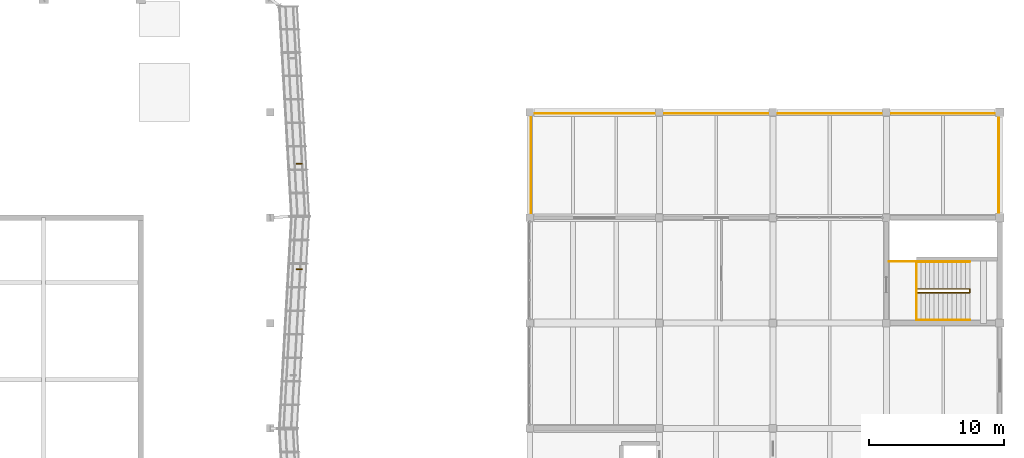
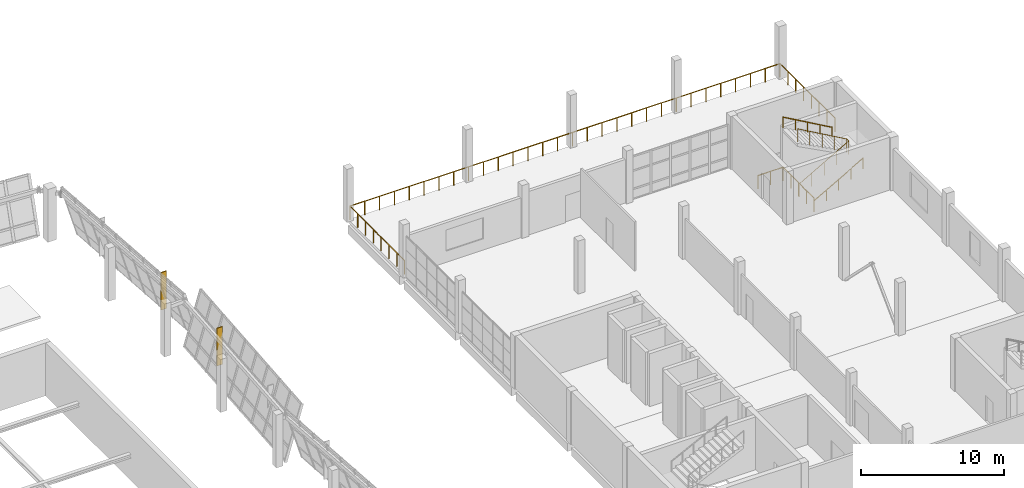
# One storey, part 65 of 67: 5 railings, 2 shading devices.
"""IFC4 building model written with IfcOpenShell, lengths in metres."""

from ifc_helpers import new_model, si_unit, direction, frame, origin, origin_2d, place, context, subcontext, project, spatial, rectangle, circle, extrude, material, type_object, element, save


model = new_model("IFC4")

# Units and contexts
model_context = context("Model", 3, precision=1e-05, world=origin(), true_north=direction((0.0, 1.0)))
body_context = subcontext(model_context, "Body", "Model", "MODEL_VIEW")
ifc_project = project(units=[si_unit("LENGTHUNIT", "METRE"), si_unit("AREAUNIT", "SQUARE_METRE"), si_unit("VOLUMEUNIT", "CUBIC_METRE"), si_unit("PLANEANGLEUNIT", "RADIAN"), si_unit("MASSUNIT", "GRAM", prefix="KILO")], contexts=[model_context])

# Site, building, storey
site_placement = place(None, origin())
site = spatial("IfcSite", under=ifc_project, at=site_placement, CompositionType="ELEMENT")
building_placement = place(site_placement, origin())
building = spatial("IfcBuilding", under=site, at=building_placement, Name="Pellamere Symphony Hall", CompositionType="ELEMENT")
storey_placement = place(building_placement, frame((0.0, 0.0, 19.5)))
storey = spatial("IfcBuildingStorey", under=building, at=storey_placement, Name="L04", CompositionType="ELEMENT", Elevation=19.5)

# Shading devices
ifc_material_1 = material(Name="Champagne-Anodised Extruded Aluminium 6063-T6", Category="aluminium")
shading_device_type = type_object("IfcShadingDeviceType", Name="Exterior Shading SD-01 65x450", PredefinedType="SHUTTER", material=ifc_material_1)
for number, where, z_axis, x_axis, name in (
    (1, (120.931396484375, 73.574951171875, 0.64990234375), (0.0, 0.0, 1.0), (0.0, 1.0, 0.0), "Crystal Acoustic Sunshade Fin CW-CR08 (L04)"),
    (2, (120.931396484375, 81.39990234375, 0.64990234375), (0.0, 0.0, 1.0), (0.0, 1.0, 0.0), "Crystal Acoustic Sunshade Fin CW-CR09 (L04)"),
):
    element("IfcShadingDevice", number, at=place(storey_placement, frame(where, z_axis=z_axis, x_axis=x_axis)), inside=storey, type_object=shading_device_type, Name=name, PredefinedType="SHUTTER", context=body_context, shape_type="SweptSolid", body=[
        extrude(rectangle(XDim=0.06494140625, YDim=0.449951171875, at=origin_2d()), origin(), (0.0, 0.0, 1.0), 3.199951171875),
    ])

# Railings
ifc_material_2 = material(Name="Painted Steel CSA G40.21 350W", Category="steel")
railing_type_1 = type_object("IfcRailingType", Name="Guardrail GR-02 H1150 Painted", PredefinedType="GUARDRAIL", material=ifc_material_2)
railing_1_placement = place(storey_placement, frame((166.625, 71.840087890625, 0.0)))
element("IfcRailing", 3, at=railing_1_placement, inside=storey, type_object=railing_type_1, Name="Stair ST05-L04 Continuous Well Guardrail (L04)", PredefinedType="GUARDRAIL", context=body_context, shape_type="SweptSolid", body=[
    extrude(circle(Radius=0.02392578125, at=origin_2d()), frame((0.0, 0.0, 1.1259765625), z_axis=(0.868916562865, 0.0, 0.494958590974), x_axis=(0.0, 1.0, 0.0)), (0.0, 0.0, 1.0), 4.5458984375),
    extrude(circle(Radius=0.02392578125, at=origin_2d()), frame((3.949951171875, 0.0, 3.3759765625), z_axis=(0.0, 1.0, 0.0), x_axis=(-1.0, 0.0, 0.0)), (0.0, 0.0, 1.0), 0.280029296875),
    extrude(circle(Radius=0.02392578125, at=origin_2d()), frame((3.949951171875, 0.280029296875, 3.3759765625), z_axis=(-0.868916562865, 0.0, 0.494958590974), x_axis=(0.0, -1.0, 0.0)), (0.0, 0.0, 1.0), 4.5458984375),
    extrude(circle(Radius=0.02099609375, at=origin_2d()), origin(), (0.0, 0.0, 1.0), 1.101806640625),
    extrude(circle(Radius=0.02099609375, at=origin_2d()), frame((0.987548828125, 0.0, 0.5625)), (0.0, 0.0, 1.0), 1.101806640625),
    extrude(circle(Radius=0.02099609375, at=origin_2d()), frame((1.97509765625, 0.0, 1.125)), (0.0, 0.0, 1.0), 1.101806640625),
    extrude(circle(Radius=0.02099609375, at=origin_2d()), frame((2.96240234375, 0.0, 1.6875)), (0.0, 0.0, 1.0), 1.101806640625),
    extrude(circle(Radius=0.02099609375, at=origin_2d()), frame((3.949951171875, 0.0, 2.25)), (0.0, 0.0, 1.0), 1.101806640625),
    extrude(circle(Radius=0.02099609375, at=origin_2d()), frame((3.949951171875, 0.280029296875, 2.25)), (0.0, 0.0, 1.0), 1.101806640625),
    extrude(circle(Radius=0.02099609375, at=origin_2d()), frame((2.96240234375, 0.280029296875, 2.8125)), (0.0, 0.0, 1.0), 1.101806640625),
    extrude(circle(Radius=0.02099609375, at=origin_2d()), frame((1.97509765625, 0.280029296875, 3.375)), (0.0, 0.0, 1.0), 1.101806640625),
    extrude(circle(Radius=0.02099609375, at=origin_2d()), frame((0.987548828125, 0.280029296875, 3.9375)), (0.0, 0.0, 1.0), 1.101806640625),
    extrude(circle(Radius=0.02099609375, at=origin_2d()), frame((0.0, 0.280029296875, 4.5)), (0.0, 0.0, 1.0), 1.101806640625),
])
railing_2_placement = place(storey_placement, frame((166.625, 69.81005859375, 0.0)))
element("IfcRailing", 4, at=railing_2_placement, inside=storey, type_object=railing_type_1, Name="Stair ST05-L04 Landing Well Slot Guard (L04)", PredefinedType="GUARDRAIL", context=body_context, shape_type="SweptSolid", body=[
    extrude(circle(Radius=0.02392578125, at=origin_2d()), frame((0.0, 0.0, 1.1259765625), z_axis=(0.0, 1.0, 0.0), x_axis=(-1.0, 0.0, 0.0)), (0.0, 0.0, 1.0), 4.33984375),
    extrude(circle(Radius=0.02392578125, at=origin_2d()), frame((0.0, 4.33984375, 1.1259765625), z_axis=(-1.0, 0.0, 0.0), x_axis=(0.0, -1.0, 0.0)), (0.0, 0.0, 1.0), 2.014892578125),
    extrude(circle(Radius=0.02099609375, at=origin_2d()), origin(), (0.0, 0.0, 1.0), 1.101806640625),
    extrude(circle(Radius=0.02099609375, at=origin_2d()), frame((0.0, 1.0849609375, 0.0)), (0.0, 0.0, 1.0), 1.101806640625),
    extrude(circle(Radius=0.02099609375, at=origin_2d()), frame((0.0, 2.169921875, 0.0)), (0.0, 0.0, 1.0), 1.101806640625),
    extrude(circle(Radius=0.02099609375, at=origin_2d()), frame((0.0, 3.2548828125, 0.0)), (0.0, 0.0, 1.0), 1.101806640625),
    extrude(circle(Radius=0.02099609375, at=origin_2d()), frame((0.0, 4.33984375, 0.0)), (0.0, 0.0, 1.0), 1.101806640625),
    extrude(circle(Radius=0.02099609375, at=origin_2d()), frame((-1.00732421875, 4.33984375, 0.0)), (0.0, 0.0, 1.0), 1.101806640625),
    extrude(circle(Radius=0.02099609375, at=origin_2d()), frame((-2.014892578125, 4.33984375, 0.0)), (0.0, 0.0, 1.0), 1.101806640625),
])
ifc_material_3 = material(Name="Laminated Safety Glass 21.5mm with Stainless Cap", Category="glass")
railing_type_2 = type_object("IfcRailingType", Name="Guardrail GR-03 H1180 Laminated", PredefinedType="GUARDRAIL", material=ifc_material_3)
railing_3_placement = place(storey_placement, frame((138.080078125, 77.47998046875, 0.0)))
element("IfcRailing", 5, at=railing_3_placement, inside=storey, type_object=railing_type_2, Name="Safety Guardrail GR-TER-L04-V5N", PredefinedType="GUARDRAIL", context=body_context, shape_type="SweptSolid", body=[
    extrude(circle(Radius=0.02392578125, at=origin_2d()), frame((0.0, 0.0, 1.15576171875), z_axis=(0.0, 1.0, 0.0), x_axis=(-1.0, 0.0, 0.0)), (0.0, 0.0, 1.0), 7.64013671875),
    extrude(circle(Radius=0.02392578125, at=origin_2d()), frame((0.0, 7.64013671875, 1.15576171875), z_axis=(1.0, 0.0, 0.0), x_axis=(0.0, 1.0, 0.0)), (0.0, 0.0, 1.0), 34.639892578125),
    extrude(circle(Radius=0.02392578125, at=origin_2d()), frame((34.639892578125, 7.64013671875, 1.15576171875), z_axis=(0.0, -1.0, 0.0), x_axis=(1.0, 0.0, 0.0)), (0.0, 0.0, 1.0), 7.64013671875),
    extrude(circle(Radius=0.02099609375, at=origin_2d()), origin(), (0.0, 0.0, 1.0), 1.1318359375),
    extrude(circle(Radius=0.02099609375, at=origin_2d()), frame((0.0, 1.091552734375, 0.0)), (0.0, 0.0, 1.0), 1.1318359375),
    extrude(circle(Radius=0.02099609375, at=origin_2d()), frame((0.0, 2.182861328125, 0.0)), (0.0, 0.0, 1.0), 1.1318359375),
    extrude(circle(Radius=0.02099609375, at=origin_2d()), frame((0.0, 3.2744140625, 0.0)), (0.0, 0.0, 1.0), 1.1318359375),
    extrude(circle(Radius=0.02099609375, at=origin_2d()), frame((0.0, 4.36572265625, 0.0)), (0.0, 0.0, 1.0), 1.1318359375),
    extrude(circle(Radius=0.02099609375, at=origin_2d()), frame((0.0, 5.457275390625, 0.0)), (0.0, 0.0, 1.0), 1.1318359375),
    extrude(circle(Radius=0.02099609375, at=origin_2d()), frame((0.0, 6.548583984375, 0.0)), (0.0, 0.0, 1.0), 1.1318359375),
    extrude(circle(Radius=0.02099609375, at=origin_2d()), frame((0.0, 7.64013671875, 0.0)), (0.0, 0.0, 1.0), 1.1318359375),
    extrude(circle(Radius=0.02099609375, at=origin_2d()), frame((1.194580078125, 7.64013671875, 0.0)), (0.0, 0.0, 1.0), 1.1318359375),
    extrude(circle(Radius=0.02099609375, at=origin_2d()), frame((2.388916015625, 7.64013671875, 0.0)), (0.0, 0.0, 1.0), 1.1318359375),
    extrude(circle(Radius=0.02099609375, at=origin_2d()), frame((3.58349609375, 7.64013671875, 0.0)), (0.0, 0.0, 1.0), 1.1318359375),
    extrude(circle(Radius=0.02099609375, at=origin_2d()), frame((4.77783203125, 7.64013671875, 0.0)), (0.0, 0.0, 1.0), 1.1318359375),
    extrude(circle(Radius=0.02099609375, at=origin_2d()), frame((5.972412109375, 7.64013671875, 0.0)), (0.0, 0.0, 1.0), 1.1318359375),
    extrude(circle(Radius=0.02099609375, at=origin_2d()), frame((7.1669921875, 7.64013671875, 0.0)), (0.0, 0.0, 1.0), 1.1318359375),
    extrude(circle(Radius=0.02099609375, at=origin_2d()), frame((8.361328125, 7.64013671875, 0.0)), (0.0, 0.0, 1.0), 1.1318359375),
    extrude(circle(Radius=0.02099609375, at=origin_2d()), frame((9.555908203125, 7.64013671875, 0.0)), (0.0, 0.0, 1.0), 1.1318359375),
    extrude(circle(Radius=0.02099609375, at=origin_2d()), frame((10.750244140625, 7.64013671875, 0.0)), (0.0, 0.0, 1.0), 1.1318359375),
    extrude(circle(Radius=0.02099609375, at=origin_2d()), frame((11.94482421875, 7.64013671875, 0.0)), (0.0, 0.0, 1.0), 1.1318359375),
    extrude(circle(Radius=0.02099609375, at=origin_2d()), frame((13.13916015625, 7.64013671875, 0.0)), (0.0, 0.0, 1.0), 1.1318359375),
    extrude(circle(Radius=0.02099609375, at=origin_2d()), frame((14.333740234375, 7.64013671875, 0.0)), (0.0, 0.0, 1.0), 1.1318359375),
    extrude(circle(Radius=0.02099609375, at=origin_2d()), frame((15.5283203125, 7.64013671875, 0.0)), (0.0, 0.0, 1.0), 1.1318359375),
    extrude(circle(Radius=0.02099609375, at=origin_2d()), frame((16.72265625, 7.64013671875, 0.0)), (0.0, 0.0, 1.0), 1.1318359375),
    extrude(circle(Radius=0.02099609375, at=origin_2d()), frame((17.917236328125, 7.64013671875, 0.0)), (0.0, 0.0, 1.0), 1.1318359375),
    extrude(circle(Radius=0.02099609375, at=origin_2d()), frame((19.111572265625, 7.64013671875, 0.0)), (0.0, 0.0, 1.0), 1.1318359375),
    extrude(circle(Radius=0.02099609375, at=origin_2d()), frame((20.30615234375, 7.64013671875, 0.0)), (0.0, 0.0, 1.0), 1.1318359375),
    extrude(circle(Radius=0.02099609375, at=origin_2d()), frame((21.500732421875, 7.64013671875, 0.0)), (0.0, 0.0, 1.0), 1.1318359375),
    extrude(circle(Radius=0.02099609375, at=origin_2d()), frame((22.695068359375, 7.64013671875, 0.0)), (0.0, 0.0, 1.0), 1.1318359375),
    extrude(circle(Radius=0.02099609375, at=origin_2d()), frame((23.8896484375, 7.64013671875, 0.0)), (0.0, 0.0, 1.0), 1.1318359375),
    extrude(circle(Radius=0.02099609375, at=origin_2d()), frame((25.083984375, 7.64013671875, 0.0)), (0.0, 0.0, 1.0), 1.1318359375),
    extrude(circle(Radius=0.02099609375, at=origin_2d()), frame((26.278564453125, 7.64013671875, 0.0)), (0.0, 0.0, 1.0), 1.1318359375),
    extrude(circle(Radius=0.02099609375, at=origin_2d()), frame((27.472900390625, 7.64013671875, 0.0)), (0.0, 0.0, 1.0), 1.1318359375),
    extrude(circle(Radius=0.02099609375, at=origin_2d()), frame((28.66748046875, 7.64013671875, 0.0)), (0.0, 0.0, 1.0), 1.1318359375),
    extrude(circle(Radius=0.02099609375, at=origin_2d()), frame((29.862060546875, 7.64013671875, 0.0)), (0.0, 0.0, 1.0), 1.1318359375),
    extrude(circle(Radius=0.02099609375, at=origin_2d()), frame((31.056396484375, 7.64013671875, 0.0)), (0.0, 0.0, 1.0), 1.1318359375),
    extrude(circle(Radius=0.02099609375, at=origin_2d()), frame((32.2509765625, 7.64013671875, 0.0)), (0.0, 0.0, 1.0), 1.1318359375),
    extrude(circle(Radius=0.02099609375, at=origin_2d()), frame((33.4453125, 7.64013671875, 0.0)), (0.0, 0.0, 1.0), 1.1318359375),
    extrude(circle(Radius=0.02099609375, at=origin_2d()), frame((34.639892578125, 7.64013671875, 0.0)), (0.0, 0.0, 1.0), 1.1318359375),
    extrude(circle(Radius=0.02099609375, at=origin_2d()), frame((34.639892578125, 6.548583984375, 0.0)), (0.0, 0.0, 1.0), 1.1318359375),
    extrude(circle(Radius=0.02099609375, at=origin_2d()), frame((34.639892578125, 5.457275390625, 0.0)), (0.0, 0.0, 1.0), 1.1318359375),
    extrude(circle(Radius=0.02099609375, at=origin_2d()), frame((34.639892578125, 4.36572265625, 0.0)), (0.0, 0.0, 1.0), 1.1318359375),
    extrude(circle(Radius=0.02099609375, at=origin_2d()), frame((34.639892578125, 3.2744140625, 0.0)), (0.0, 0.0, 1.0), 1.1318359375),
    extrude(circle(Radius=0.02099609375, at=origin_2d()), frame((34.639892578125, 2.182861328125, 0.0)), (0.0, 0.0, 1.0), 1.1318359375),
    extrude(circle(Radius=0.02099609375, at=origin_2d()), frame((34.639892578125, 1.091552734375, 0.0)), (0.0, 0.0, 1.0), 1.1318359375),
    extrude(circle(Radius=0.02099609375, at=origin_2d()), frame((34.639892578125, 0.0, 0.0)), (0.0, 0.0, 1.0), 1.1318359375),
])
ifc_material_4 = material(Name="Stainless Steel AISI 316", Category="steel")
railing_type_3 = type_object("IfcRailingType", Name="Handrail HR-01 H920 Stainless", PredefinedType="HANDRAIL", material=ifc_material_4)
railing_4_placement = place(storey_placement, frame((166.625, 69.820068359375, 0.0)))
element("IfcRailing", 6, at=railing_4_placement, inside=storey, type_object=railing_type_3, Name="Stair ST05-L04 Lower Wall Handrail (L04)", PredefinedType="HANDRAIL", context=body_context, shape_type="SweptSolid", body=[
    extrude(circle(Radius=0.02392578125, at=origin_2d()), frame((0.0, 0.0, 0.89599609375), z_axis=(0.868916562865, 0.0, 0.494958590974), x_axis=(0.0, 1.0, 0.0)), (0.0, 0.0, 1.0), 4.5458984375),
    extrude(circle(Radius=0.02099609375, at=origin_2d()), origin(), (0.0, 0.0, 1.0), 0.871826171875),
    extrude(circle(Radius=0.02099609375, at=origin_2d()), frame((0.987548828125, 0.0, 0.5625)), (0.0, 0.0, 1.0), 0.871826171875),
    extrude(circle(Radius=0.02099609375, at=origin_2d()), frame((1.97509765625, 0.0, 1.125)), (0.0, 0.0, 1.0), 0.871826171875),
    extrude(circle(Radius=0.02099609375, at=origin_2d()), frame((2.96240234375, 0.0, 1.6875)), (0.0, 0.0, 1.0), 0.871826171875),
    extrude(circle(Radius=0.02099609375, at=origin_2d()), frame((3.949951171875, 0.0, 2.25)), (0.0, 0.0, 1.0), 0.871826171875),
])
railing_5_placement = place(storey_placement, frame((170.574951171875, 74.139892578125, 2.25)))
element("IfcRailing", 7, at=railing_5_placement, inside=storey, type_object=railing_type_3, Name="Stair ST05-L04 Upper Wall Handrail (L04)", PredefinedType="HANDRAIL", context=body_context, shape_type="SweptSolid", body=[
    extrude(circle(Radius=0.02392578125, at=origin_2d()), frame((0.0, 0.0, 0.89599609375), z_axis=(-0.868916562865, 0.0, 0.494958590974), x_axis=(0.0, -1.0, 0.0)), (0.0, 0.0, 1.0), 4.5458984375),
    extrude(circle(Radius=0.02099609375, at=origin_2d()), origin(), (0.0, 0.0, 1.0), 0.871826171875),
    extrude(circle(Radius=0.02099609375, at=origin_2d()), frame((-0.987548828125, 0.0, 0.5625)), (0.0, 0.0, 1.0), 0.871826171875),
    extrude(circle(Radius=0.02099609375, at=origin_2d()), frame((-1.97509765625, 0.0, 1.125)), (0.0, 0.0, 1.0), 0.871826171875),
    extrude(circle(Radius=0.02099609375, at=origin_2d()), frame((-2.96240234375, 0.0, 1.6875)), (0.0, 0.0, 1.0), 0.871826171875),
    extrude(circle(Radius=0.02099609375, at=origin_2d()), frame((-3.949951171875, 0.0, 2.25)), (0.0, 0.0, 1.0), 0.871826171875),
])

save(model, "model.ifc")
